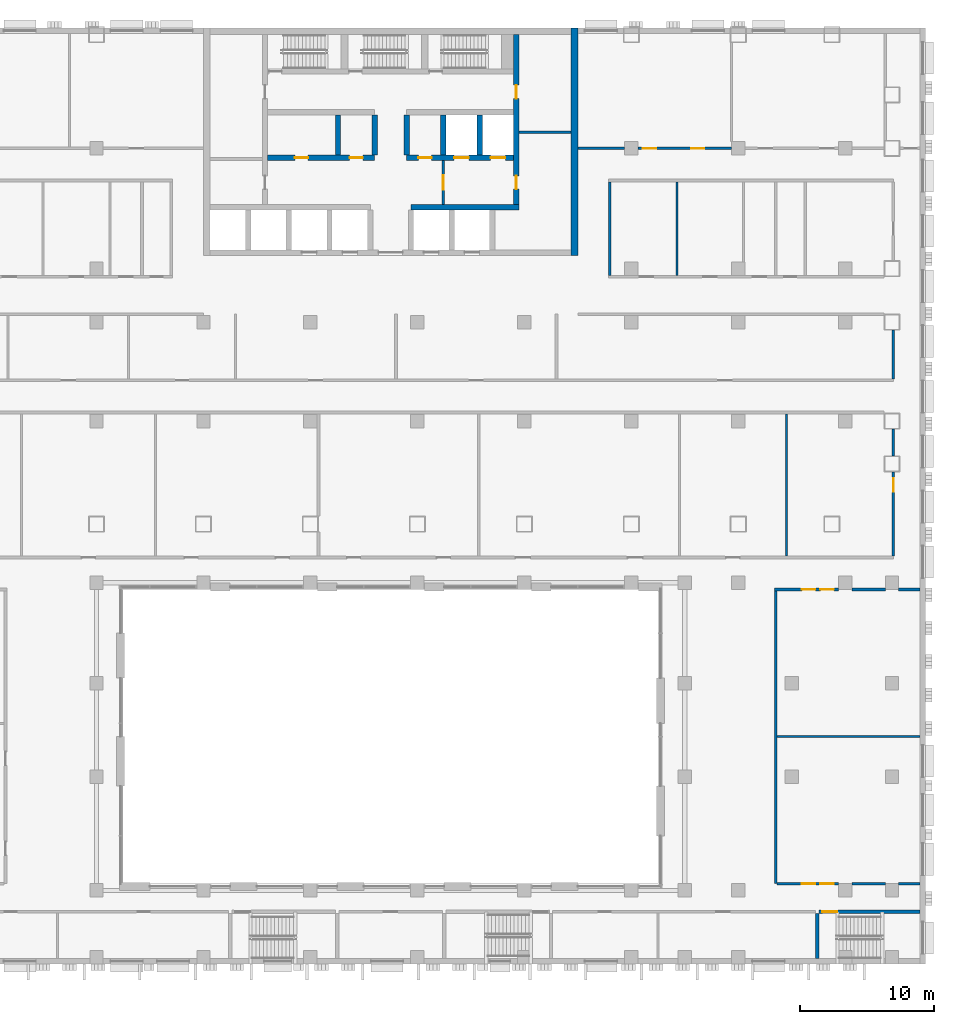
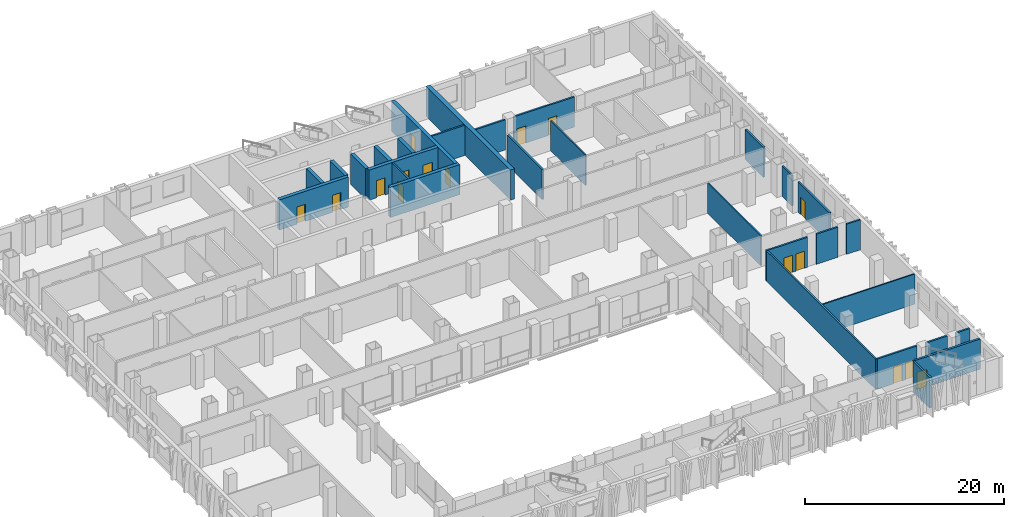
# One storey, part 14 of 26: 30 walls, 16 doors, 16 openings.
"""IFC4 building model written with IfcOpenShell, lengths in metres."""

import ifcopenshell
import ifcopenshell.guid

model = None  # the IFC model being written
_history = None  # IfcOwnerHistory: only IFC2X3 demands one
_inside = {}  # id of a spatial element -> (the spatial element, [elements in it])
_under = {}  # id of a project, library or spatial element -> (it, [spatial elements below it])
_declared = {}  # id of a project -> (the project, [libraries it declares])
_typed = {}  # id of a type object -> (the type object, [elements of that type])
_made_of = {}  # id of a material, layer set ... -> (it, [elements and type objects made of it])


def new_model(schema):
    """Start an empty IFC model of exactly this schema.

    Asked for "IFC4X3", IfcOpenShell would pick the latest addendum, in which some entities
    have other attributes; the version numbers below select the first issue.
    IFC2X3 requires an IfcOwnerHistory on every rooted entity: one is made here for all.
    """
    global model, _history
    if schema == "IFC4X3":
        model = ifcopenshell.file(schema_version=(4, 3, 0, 0))
    else:
        model = ifcopenshell.file(schema=schema)
    _inside.clear()
    _under.clear()
    _declared.clear()
    _typed.clear()
    _made_of.clear()
    _history = None
    if model.schema == "IFC2X3":
        org = make("IfcOrganization", Name="unknown")
        user = make(
            "IfcPersonAndOrganization",
            ThePerson=make("IfcPerson", FamilyName="unknown"),
            TheOrganization=org,
        )
        app = make(
            "IfcApplication",
            ApplicationDeveloper=org,
            Version="unknown",
            ApplicationFullName="unknown",
            ApplicationIdentifier="unknown",
        )
        _history = make(
            "IfcOwnerHistory",
            OwningUser=user,
            OwningApplication=app,
            ChangeAction="ADDED",
            CreationDate=0,
        )
    return model


def make(cls, **values):
    """One entity of the class cls with the attributes given. An attribute that is None is left unset."""
    return model.create_entity(
        cls, **{name: value for name, value in values.items() if value is not None}
    )


def rooted(cls, **values):
    """An entity with a GlobalId (a new one), such as an element, a storey or a relation."""
    return make(cls, GlobalId=ifcopenshell.guid.new(), OwnerHistory=_history, **values)


def si_unit(unit_type, name, prefix=None):
    """IfcSIUnit, for example si_unit("LENGTHUNIT", "METRE", prefix="MILLI")."""
    return make("IfcSIUnit", UnitType=unit_type, Prefix=prefix, Name=name)


def assignment(units):
    """IfcUnitAssignment: the units of a project."""
    return None if units is None else make("IfcUnitAssignment", Units=units)


def point(xyz):
    """IfcCartesianPoint."""
    return None if xyz is None else make("IfcCartesianPoint", Coordinates=xyz)


def direction(xyz):
    """IfcDirection."""
    return None if xyz is None else make("IfcDirection", DirectionRatios=xyz)


def frame(location, z_axis=None, x_axis=None):
    """IfcAxis2Placement3D, a coordinate frame: its origin and axes. An axis left out is left unset."""
    return make(
        "IfcAxis2Placement3D",
        Location=point(location),
        Axis=direction(z_axis),
        RefDirection=direction(x_axis),
    )


def frame_2d(location, x_axis=None):
    """IfcAxis2Placement2D, a coordinate frame in the plane: its origin and x axis."""
    return make(
        "IfcAxis2Placement2D", Location=point(location), RefDirection=direction(x_axis)
    )


def origin():
    """The frame at (0, 0, 0) with its axes left unset."""
    return frame((0.0, 0.0, 0.0))


def place(relative_to, where):
    """IfcLocalPlacement: puts the frame where relative to a parent placement (None: the world)."""
    return make(
        "IfcLocalPlacement", PlacementRelTo=relative_to, RelativePlacement=where
    )


def context(
    kind, dimensions, precision=None, world=None, true_north=None, identifier=None
):
    """IfcGeometricRepresentationContext, for example the 3D "Model" context."""
    return make(
        "IfcGeometricRepresentationContext",
        ContextIdentifier=identifier,
        ContextType=kind,
        CoordinateSpaceDimension=dimensions,
        Precision=precision,
        WorldCoordinateSystem=world,
        TrueNorth=true_north,
    )


def subcontext(parent, identifier, kind, view, scale=None):
    """IfcGeometricRepresentationSubContext, for example "Body" below "Model"."""
    return make(
        "IfcGeometricRepresentationSubContext",
        ContextIdentifier=identifier,
        ContextType=kind,
        ParentContext=parent,
        TargetScale=scale,
        TargetView=view,
    )


def project(units=None, contexts=None):
    """IfcProject with its units and contexts."""
    return rooted(
        "IfcProject",
        Name="project",
        RepresentationContexts=contexts,
        UnitsInContext=assignment(units),
    )


def spatial(cls, under=None, at=None, **own):
    """A site, building, storey or space (cls), placed at a placement, below another one or the project."""
    s = rooted(cls, ObjectPlacement=at, **own)
    if under is not None:
        _under.setdefault(under.id(), (under, []))[1].append(s)
    return s


def profile(cls, at=None, kind="AREA", **sizes):
    """A parametric profile (cls). Its sizes go by their IFC names, for example OverallWidth=200.0."""
    return make(cls, ProfileType=kind, Position=at, **sizes)


def rectangle(**sizes):
    """IfcRectangleProfileDef."""
    return profile("IfcRectangleProfileDef", **sizes)


def extrude(swept, where, along, depth):
    """IfcExtrudedAreaSolid: the profile swept, set in the frame where, extruded along a direction by depth."""
    return make(
        "IfcExtrudedAreaSolid",
        SweptArea=swept,
        Position=where,
        ExtrudedDirection=direction(along),
        Depth=depth,
    )


def shape(context_of_items, identifier, shape_type, items):
    """IfcShapeRepresentation: the items that make up one representation, for example the "Body"."""
    return make(
        "IfcShapeRepresentation",
        ContextOfItems=context_of_items,
        RepresentationIdentifier=identifier,
        RepresentationType=shape_type,
        Items=items,
    )


def material(Name=None, Category=None):
    """IfcMaterial."""
    return make("IfcMaterial", Name=Name, Category=Category)


def layer(
    of_material, thickness, ventilated=None, Name=None, Category=None, Priority=None
):
    """IfcMaterialLayer: one layer of a wall or slab, of a material (None: an air gap)."""
    return make(
        "IfcMaterialLayer",
        Material=of_material,
        LayerThickness=thickness,
        IsVentilated=ventilated,
        Name=Name,
        Category=Category,
        Priority=Priority,
    )


def layer_set(layers, Name=None):
    """IfcMaterialLayerSet."""
    return make("IfcMaterialLayerSet", MaterialLayers=layers, LayerSetName=Name)


def made_of(thing, what):
    """Note that an element or type object is made of a material, layer set ...; save() writes the relation."""
    if what is not None:
        _made_of.setdefault(what.id(), (what, []))[1].append(thing)
    return thing


def type_object(cls, material=None, **own):
    """A type object (cls), such as IfcWallType, which elements share."""
    return made_of(rooted(cls, **own), material)


def element(
    cls,
    number,
    at=None,
    inside=None,
    cuts=None,
    type_object=None,
    material=None,
    context=None,
    identifier="Body",
    shape_type=None,
    held_by="IfcProductDefinitionShape",
    body=None,
    shapes=None,
    **own,
):
    """One element of the class cls, such as IfcWall. Its Tag is "e" and its number.

    at: its placement. inside: the storey or other place that contains it. cuts: it is an
    opening in that element (IfcRelVoidsElement). A single representation is given by context,
    identifier, shape_type and body (its items); several are given by shapes. held_by: the class
    of the entity that holds the representations. save() writes the other relations.
    """
    e = rooted(cls, Tag="e%d" % number, ObjectPlacement=at, **own)
    if body is not None:
        shapes = [shape(context, identifier, shape_type, body)]
    if shapes is not None:
        e.Representation = make(held_by, Representations=shapes)
    if inside is not None:
        _inside.setdefault(inside.id(), (inside, []))[1].append(e)
    if cuts is not None:
        rooted(
            "IfcRelVoidsElement", RelatingBuildingElement=cuts, RelatedOpeningElement=e
        )
    if type_object is not None:
        _typed.setdefault(type_object.id(), (type_object, []))[1].append(e)
    return made_of(e, material)


def fill(opening, filler):
    """IfcRelFillsElement: the door or window that sits in an opening."""
    return rooted(
        "IfcRelFillsElement",
        RelatingOpeningElement=opening,
        RelatedBuildingElement=filler,
    )


def aggregate(whole, parts):
    """IfcRelAggregates: a whole, such as a stair, and the parts it consists of."""
    return rooted("IfcRelAggregates", RelatingObject=whole, RelatedObjects=parts)


def save(model, path):
    """Write the relations noted so far, then the file.

    IfcRelAggregates (storeys below a building ...), IfcRelContainedInSpatialStructure (elements
    in a storey), IfcRelDefinesByType, IfcRelAssociatesMaterial and IfcRelDeclares: one each for
    every whole, place, type object, material and project.
    """
    for whole, parts in _under.values():
        aggregate(whole, parts)
    for where, things in _inside.values():
        rooted(
            "IfcRelContainedInSpatialStructure",
            RelatedElements=things,
            RelatingStructure=where,
        )
    for kind, things in _typed.values():
        rooted("IfcRelDefinesByType", RelatedObjects=things, RelatingType=kind)
    for what, things in _made_of.values():
        rooted("IfcRelAssociatesMaterial", RelatedObjects=things, RelatingMaterial=what)
    for by, libraries in _declared.values():
        rooted("IfcRelDeclares", RelatingContext=by, RelatedDefinitions=libraries)
    model.write(path)


model = new_model("IFC4")

# Units and contexts
model_context = context("Model", 3, precision=1e-05, world=origin(), true_north=direction((0.0, 1.0)))
body_context = subcontext(model_context, "Body", "Model", "MODEL_VIEW")
ifc_project = project(units=[si_unit("LENGTHUNIT", "METRE"), si_unit("AREAUNIT", "SQUARE_METRE"), si_unit("VOLUMEUNIT", "CUBIC_METRE"), si_unit("PLANEANGLEUNIT", "RADIAN"), si_unit("MASSUNIT", "GRAM", prefix="KILO")], contexts=[model_context])

# Site, building, storey
site_placement = place(None, origin())
site = spatial("IfcSite", under=ifc_project, at=site_placement, CompositionType="ELEMENT")
building_placement = place(site_placement, origin())
building = spatial("IfcBuilding", under=site, at=building_placement, Name="Vidyagriha Tower", CompositionType="ELEMENT")
storey_placement = place(building_placement, frame((0.0, 0.0, 6.0)))
storey = spatial("IfcBuildingStorey", under=building, at=storey_placement, Name="L01", CompositionType="ELEMENT", Elevation=6.0)

# Wall, opening, door
ifc_material_1 = material(Name="Concrete C32/40", Category="concrete")
ifc_layer_1 = layer(ifc_material_1, 0.25)
ifc_layer_set_1 = layer_set([ifc_layer_1], Name="Concrete C32/40")
wall_type_1 = type_object("IfcWallType", Name="Concrete Stair Enclosure Wall 250", PredefinedType="SOLIDWALL", material=ifc_layer_set_1)
wall_1_placement = place(storey_placement, frame((32.02490234375, -46.10009765625, 0.0)))
wall_1 = element("IfcWall", 1, at=wall_1_placement, inside=storey, type_object=wall_type_1, Name="L01 Concrete Stair Enclosure Wall 250 006", PredefinedType="SOLIDWALL", context=body_context, shape_type="SweptSolid", body=[
    extrude(rectangle(XDim=7.5751953125, YDim=0.25, at=frame_2d((3.78759765625, 0.0))), origin(), (0.0, 0.0, 1.0), 3.699951171875),
])
opening_1_placement = place(wall_1_placement, frame((0.27001953125, 0.0, 0.0)))
opening_1 = element("IfcOpeningElement", 2, at=opening_1_placement, cuts=wall_1, Name="Opening D01-61", PredefinedType="OPENING", context=body_context, shape_type="SweptSolid", body=[
    extrude(rectangle(XDim=1.10009765625, YDim=2.10009765625, at=frame_2d((0.550048828125, 1.050048828125))), frame((0.0, 0.135009765625, 0.0), z_axis=(0.0, -1.0, 0.0), x_axis=(1.0, 0.0, 0.0)), (0.0, 0.0, 1.0), 0.27001953125),
])
ifc_material_2 = material(Name="Steel fire door set", Category="steel")
door_type_1 = type_object("IfcDoorType", Name="Podium Door 1100x2100 EI 90", OperationType="NOTDEFINED", PredefinedType="DOOR", material=ifc_material_2)
door_1_placement = place(opening_1_placement, origin())
door_1 = element("IfcDoor", 3, at=door_1_placement, inside=storey, type_object=door_type_1, Name="L01 door D01-61", OperationType="SINGLE_SWING_LEFT", OverallHeight=2.10009765625, OverallWidth=1.10009765625, PredefinedType="DOOR", context=body_context, shape_type="SweptSolid", body=[
    extrude(rectangle(XDim=1.10009765625, YDim=2.10009765625, at=frame_2d((0.550048828125, 1.050048828125))), frame((0.0, 0.02490234375, 0.0), z_axis=(0.0, -1.0, 0.0), x_axis=(1.0, 0.0, 0.0)), (0.0, 0.0, 1.0), 0.050048828125),
])
fill(opening_1, door_1)

# Wall
wall_2_placement = place(storey_placement, frame((31.89990234375, -49.60009765625, 0.0), z_axis=(0.0, 0.0, 1.0), x_axis=(0.0, 1.0, 0.0)))
element("IfcWall", 4, at=wall_2_placement, inside=storey, type_object=wall_type_1, Name="L01 Concrete Stair Enclosure Wall 250 076", PredefinedType="SOLIDWALL", context=body_context, shape_type="SweptSolid", body=[
    extrude(rectangle(XDim=3.375, YDim=0.25, at=frame_2d((1.6875, 0.0))), origin(), (0.0, 0.0, 1.0), 3.699951171875),
])

# Wall, openings, doors
ifc_material_3 = material(Name="Concrete C60/75", Category="concrete")
ifc_layer_2 = layer(ifc_material_3, 0.39990234375)
ifc_layer_set_2 = layer_set([ifc_layer_2], Name="Concrete C60/75")
wall_type_2 = type_object("IfcWallType", Name="Core shear wall 400 mm", PredefinedType="SHEAR", material=ifc_layer_set_2)
wall_3_placement = place(storey_placement, frame((9.39990234375, 6.800048828125, 0.0), z_axis=(0.0, 0.0, 1.0), x_axis=(0.0, 1.0, 0.0)))
wall_3 = element("IfcWall", 5, at=wall_3_placement, inside=storey, type_object=wall_type_2, Name="Core east spine wall", PredefinedType="SHEAR", context=body_context, shape_type="SweptSolid", body=[
    extrude(rectangle(XDim=12.699951171875, YDim=0.39990234375, at=frame_2d((6.35009765625, 0.0))), origin(), (0.0, 0.0, 1.0), 3.699951171875),
])
opening_2_placement = place(wall_3_placement, frame((1.14990234375, 0.0, 0.0)))
opening_2 = element("IfcOpeningElement", 6, at=opening_2_placement, cuts=wall_3, Name="Opening D01-11", PredefinedType="OPENING", context=body_context, shape_type="SweptSolid", body=[
    extrude(rectangle(XDim=1.0, YDim=2.10009765625, at=frame_2d((0.5, 1.050048828125))), frame((0.0, 0.2099609375, 0.0), z_axis=(0.0, -1.0, 0.0), x_axis=(1.0, 0.0, 0.0)), (0.0, 0.0, 1.0), 0.419921875),
])
opening_3_placement = place(wall_3_placement, frame((7.925048828125, 0.0, 0.0)))
opening_3 = element("IfcOpeningElement", 7, at=opening_3_placement, cuts=wall_3, Name="Opening D01-12", PredefinedType="OPENING", context=body_context, shape_type="SweptSolid", body=[
    extrude(rectangle(XDim=1.0, YDim=2.10009765625, at=frame_2d((0.5, 1.050048828125))), frame((0.0, 0.2099609375, 0.0), z_axis=(0.0, -1.0, 0.0), x_axis=(1.0, 0.0, 0.0)), (0.0, 0.0, 1.0), 0.419921875),
])
ifc_material_4 = material(Name="Hollow metal door leaf")
door_type_2 = type_object("IfcDoorType", Name="Core room door 1000 x 2100 mm EI 60", OperationType="NOTDEFINED", PredefinedType="DOOR", material=ifc_material_4)
door_2_placement = place(opening_2_placement, origin())
door_2 = element("IfcDoor", 8, at=door_2_placement, inside=storey, type_object=door_type_2, Name="Door Pressurisation Plant Room 01.E1", OperationType="SINGLE_SWING_RIGHT", OverallHeight=2.10009765625, OverallWidth=1.0, PredefinedType="DOOR", context=body_context, shape_type="SweptSolid", body=[
    extrude(rectangle(XDim=1.0, YDim=2.10009765625, at=frame_2d((0.5, 1.050048828125))), frame((0.0, 0.02490234375, 0.0), z_axis=(0.0, -1.0, 0.0), x_axis=(1.0, 0.0, 0.0)), (0.0, 0.0, 1.0), 0.050048828125),
])
fill(opening_2, door_2)
door_3_placement = place(opening_3_placement, origin())
door_3 = element("IfcDoor", 9, at=door_3_placement, inside=storey, type_object=door_type_2, Name="Door Storage Room 01.E2", OperationType="SINGLE_SWING_LEFT", OverallHeight=2.10009765625, OverallWidth=1.0, PredefinedType="DOOR", context=body_context, shape_type="SweptSolid", body=[
    extrude(rectangle(XDim=1.0, YDim=2.10009765625, at=frame_2d((0.5, 1.050048828125))), frame((0.0, 0.02490234375, 0.0), z_axis=(0.0, -1.0, 0.0), x_axis=(1.0, 0.0, 0.0)), (0.0, 0.0, 1.0), 0.050048828125),
])
fill(opening_3, door_3)

# Wall
wall_4_placement = place(storey_placement, frame((1.522216796875, 6.60009765625, 0.0)))
element("IfcWall", 10, at=wall_4_placement, inside=storey, type_object=wall_type_2, Name="Core lobby south wall east", PredefinedType="SHEAR", context=body_context, shape_type="SweptSolid", body=[
    extrude(rectangle(XDim=8.077880859375, YDim=0.39990234375, at=frame_2d((4.0390625, 0.0))), origin(), (0.0, 0.0, 1.0), 3.699951171875),
])

# Wall, openings, doors
wall_5_placement = place(storey_placement, frame((-9.199951171875, 10.300048828125, 0.0)))
wall_5 = element("IfcWall", 11, at=wall_5_placement, inside=storey, type_object=wall_type_2, Name="Core row N front wall", PredefinedType="SHEAR", context=body_context, shape_type="SweptSolid", body=[
    extrude(rectangle(XDim=8.0, YDim=0.39990234375, at=frame_2d((4.0, 0.0))), origin(), (0.0, 0.0, 1.0), 3.699951171875),
])
opening_4_placement = place(wall_5_placement, frame((2.033203125, 0.0, 0.0)))
opening_4 = element("IfcOpeningElement", 12, at=opening_4_placement, cuts=wall_5, Name="Opening D01-02", PredefinedType="OPENING", context=body_context, shape_type="SweptSolid", body=[
    extrude(rectangle(XDim=1.0, YDim=2.10009765625, at=frame_2d((0.5, 1.050048828125))), frame((0.0, 0.2099609375, 0.0), z_axis=(0.0, -1.0, 0.0), x_axis=(1.0, 0.0, 0.0)), (0.0, 0.0, 1.0), 0.419921875),
])
opening_5_placement = place(wall_5_placement, frame((6.13330078125, 0.0, 0.0)))
opening_5 = element("IfcOpeningElement", 13, at=opening_5_placement, cuts=wall_5, Name="Opening D01-03", PredefinedType="OPENING", context=body_context, shape_type="SweptSolid", body=[
    extrude(rectangle(XDim=1.0, YDim=2.10009765625, at=frame_2d((0.5, 1.050048828125))), frame((0.0, 0.2099609375, 0.0), z_axis=(0.0, -1.0, 0.0), x_axis=(1.0, 0.0, 0.0)), (0.0, 0.0, 1.0), 0.419921875),
])
door_4_placement = place(opening_4_placement, frame((1.0, 0.0, 0.0), z_axis=(0.0, 0.0, 1.0), x_axis=(-1.0, 0.0, 0.0)))
door_4 = element("IfcDoor", 14, at=door_4_placement, inside=storey, type_object=door_type_2, Name="Door Electrical Room 01.14", OperationType="SINGLE_SWING_RIGHT", OverallHeight=2.10009765625, OverallWidth=1.0, PredefinedType="DOOR", context=body_context, shape_type="SweptSolid", body=[
    extrude(rectangle(XDim=1.0, YDim=2.10009765625, at=frame_2d((0.5, 1.050048828125))), frame((0.0, 0.02490234375, 0.0), z_axis=(0.0, -1.0, 0.0), x_axis=(1.0, 0.0, 0.0)), (0.0, 0.0, 1.0), 0.050048828125),
])
fill(opening_4, door_4)
door_5_placement = place(opening_5_placement, frame((1.0, 0.0, 0.0), z_axis=(0.0, 0.0, 1.0), x_axis=(-1.0, 0.0, 0.0)))
door_5 = element("IfcDoor", 15, at=door_5_placement, inside=storey, type_object=door_type_2, Name="Door Cleaners Store 01.15", OperationType="SINGLE_SWING_LEFT", OverallHeight=2.10009765625, OverallWidth=1.0, PredefinedType="DOOR", context=body_context, shape_type="SweptSolid", body=[
    extrude(rectangle(XDim=1.0, YDim=2.10009765625, at=frame_2d((0.5, 1.050048828125))), frame((0.0, 0.02490234375, 0.0), z_axis=(0.0, -1.0, 0.0), x_axis=(1.0, 0.0, 0.0)), (0.0, 0.0, 1.0), 0.050048828125),
])
fill(opening_5, door_5)

wall_6_placement = place(storey_placement, frame((1.199951171875, 10.300048828125, 0.0)))
wall_6 = element("IfcWall", 16, at=wall_6_placement, inside=storey, type_object=wall_type_2, Name="Core row N front wall", PredefinedType="SHEAR", context=body_context, shape_type="SweptSolid", body=[
    extrude(rectangle(XDim=8.0, YDim=0.39990234375, at=frame_2d((4.0, 0.0))), origin(), (0.0, 0.0, 1.0), 3.699951171875),
])
opening_6_placement = place(wall_6_placement, frame((3.550048828125, 0.0, 0.0)))
opening_6 = element("IfcOpeningElement", 17, at=opening_6_placement, cuts=wall_6, Name="Opening LD01-05", PredefinedType="OPENING", context=body_context, shape_type="SweptSolid", body=[
    extrude(rectangle(XDim=1.10009765625, YDim=2.10009765625, at=frame_2d((0.550048828125, 1.050048828125))), frame((0.0, 0.2099609375, 0.0), z_axis=(0.0, -1.0, 0.0), x_axis=(1.0, 0.0, 0.0)), (0.0, 0.0, 1.0), 0.419921875),
])
opening_7_placement = place(wall_6_placement, frame((6.283203125, 0.0, 0.0)))
opening_7 = element("IfcOpeningElement", 18, at=opening_7_placement, cuts=wall_6, Name="Opening LD01-06", PredefinedType="OPENING", context=body_context, shape_type="SweptSolid", body=[
    extrude(rectangle(XDim=1.10009765625, YDim=2.10009765625, at=frame_2d((0.550048828125, 1.050048828125))), frame((0.0, 0.2099609375, 0.0), z_axis=(0.0, -1.0, 0.0), x_axis=(1.0, 0.0, 0.0)), (0.0, 0.0, 1.0), 0.419921875),
])
opening_8_placement = place(wall_6_placement, frame((0.86669921875, 0.0, 0.0)))
opening_8 = element("IfcOpeningElement", 19, at=opening_8_placement, cuts=wall_6, Name="Opening D01-04", PredefinedType="OPENING", context=body_context, shape_type="SweptSolid", body=[
    extrude(rectangle(XDim=1.0, YDim=2.10009765625, at=frame_2d((0.5, 1.050048828125))), frame((0.0, 0.2099609375, 0.0), z_axis=(0.0, -1.0, 0.0), x_axis=(1.0, 0.0, 0.0)), (0.0, 0.0, 1.0), 0.419921875),
])
door_6_placement = place(opening_8_placement, frame((1.0, 0.0, 0.0), z_axis=(0.0, 0.0, 1.0), x_axis=(-1.0, 0.0, 0.0)))
door_6 = element("IfcDoor", 20, at=door_6_placement, inside=storey, type_object=door_type_2, Name="Door Pressurisation Plant Room 01.16", OperationType="SINGLE_SWING_LEFT", OverallHeight=2.10009765625, OverallWidth=1.0, PredefinedType="DOOR", context=body_context, shape_type="SweptSolid", body=[
    extrude(rectangle(XDim=1.0, YDim=2.10009765625, at=frame_2d((0.5, 1.050048828125))), frame((0.0, 0.02490234375, 0.0), z_axis=(0.0, -1.0, 0.0), x_axis=(1.0, 0.0, 0.0)), (0.0, 0.0, 1.0), 0.050048828125),
])
fill(opening_8, door_6)
ifc_material_5 = material(Name="Stainless steel sliding door panel", Category="steel")
door_type_3 = type_object("IfcDoorType", Name="Lift landing door 1100 x 2100 mm EI 90", OperationType="NOTDEFINED", PredefinedType="DOOR", material=ifc_material_5)
door_7_placement = place(opening_6_placement, origin())
door_7 = element("IfcDoor", 21, at=door_7_placement, inside=storey, type_object=door_type_3, Name="Landing door FF1 L01", OperationType="SLIDING_TO_LEFT", OverallHeight=2.10009765625, OverallWidth=1.10009765625, PredefinedType="DOOR", context=body_context, shape_type="SweptSolid", body=[
    extrude(rectangle(XDim=1.10009765625, YDim=2.10009765625, at=frame_2d((0.550048828125, 1.050048828125))), frame((0.0, 0.02490234375, 0.0), z_axis=(0.0, -1.0, 0.0), x_axis=(1.0, 0.0, 0.0)), (0.0, 0.0, 1.0), 0.050048828125),
])
fill(opening_6, door_7)
door_8_placement = place(opening_7_placement, origin())
door_8 = element("IfcDoor", 22, at=door_8_placement, inside=storey, type_object=door_type_3, Name="Landing door FF2 L01", OperationType="SLIDING_TO_LEFT", OverallHeight=2.10009765625, OverallWidth=1.10009765625, PredefinedType="DOOR", context=body_context, shape_type="SweptSolid", body=[
    extrude(rectangle(XDim=1.10009765625, YDim=2.10009765625, at=frame_2d((0.550048828125, 1.050048828125))), frame((0.0, 0.02490234375, 0.0), z_axis=(0.0, -1.0, 0.0), x_axis=(1.0, 0.0, 0.0)), (0.0, 0.0, 1.0), 0.050048828125),
])
fill(opening_7, door_8)

# Walls
for number, where, z_axis, x_axis, name in (
    (23, (-3.933349609375, 10.5, 0.0), (0.0, 0.0, 1.0), (0.0, 1.0, 0.0), "Core bay wall N2"),
    (24, (-1.199951171875, 10.5, 0.0), (0.0, 0.0, 1.0), (0.0, 1.0, 0.0), "Core bay wall N3"),
    (25, (1.199951171875, 10.5, 0.0), (0.0, 0.0, 1.0), (0.0, 1.0, 0.0), "Core bay wall N4"),
    (26, (3.933349609375, 10.5, 0.0), (0.0, 0.0, 1.0), (0.0, 1.0, 0.0), "Core bay wall N5"),
    (27, (6.666748046875, 10.5, 0.0), (0.0, 0.0, 1.0), (0.0, 1.0, 0.0), "Core bay wall N6"),
):
    element("IfcWall", number, at=place(storey_placement, frame(where, z_axis=z_axis, x_axis=x_axis)), inside=storey, type_object=wall_type_2, Name=name, PredefinedType="SHEAR", context=body_context, shape_type="SweptSolid", body=[
        extrude(rectangle(XDim=3.0, YDim=0.39990234375, at=frame_2d((1.5, 0.0))), origin(), (0.0, 0.0, 1.0), 3.699951171875),
    ])
ifc_material_6 = material(Name="Concrete C60/75", Category="concrete")
ifc_layer_3 = layer(ifc_material_6, 0.5)
ifc_layer_set_3 = layer_set([ifc_layer_3], Name="Concrete C60/75")
wall_type_3 = type_object("IfcWallType", Name="Core shear wall 500 mm", PredefinedType="SHEAR", material=ifc_layer_set_3)
wall_7_placement = place(storey_placement, frame((13.75, 3.0, 0.0), z_axis=(0.0, 0.0, 1.0), x_axis=(0.0, 1.0, 0.0)))
element("IfcWall", 28, at=wall_7_placement, inside=storey, type_object=wall_type_3, Name="Core east wall", PredefinedType="SHEAR", context=body_context, shape_type="SweptSolid", body=[
    extrude(rectangle(XDim=17.0, YDim=0.5, at=frame_2d((8.5, 0.0))), origin(), (0.0, 0.0, 1.0), 3.699951171875),
])

# Wall, openings, doors
ifc_material_7 = material(Name="Fire rated gypsum board on light gauge framing")
ifc_layer_4 = layer(ifc_material_7, 0.199951171875)
ifc_layer_set_4 = layer_set([ifc_layer_4], Name="Fire rated gypsum board on light gauge framing")
wall_type_4 = type_object("IfcWallType", Name="Fire Rated Corridor Wall 200", PredefinedType="PARTITIONING", material=ifc_layer_set_4)
wall_8_placement = place(storey_placement, frame((28.900146484375, -44.0, 0.0)))
wall_8 = element("IfcWall", 29, at=wall_8_placement, inside=storey, type_object=wall_type_4, Name="L01 Fire Rated Corridor Wall 200 010", PredefinedType="PARTITIONING", context=body_context, shape_type="SweptSolid", body=[
    extrude(rectangle(XDim=4.599853515625, YDim=0.199951171875, at=frame_2d((2.2998046875, 0.0))), origin(), (0.0, 0.0, 1.0), 3.699951171875),
])
opening_9_placement = place(wall_8_placement, frame((1.864013671875, 0.0, 0.0)))
opening_9 = element("IfcOpeningElement", 30, at=opening_9_placement, cuts=wall_8, Name="Opening D01-17", PredefinedType="OPENING", context=body_context, shape_type="SweptSolid", body=[
    extrude(rectangle(XDim=1.0, YDim=2.10009765625, at=frame_2d((0.5, 1.050048828125))), frame((0.0, 0.10986328125, 0.0), z_axis=(0.0, -1.0, 0.0), x_axis=(1.0, 0.0, 0.0)), (0.0, 0.0, 1.0), 0.219970703125),
])
opening_10_placement = place(wall_8_placement, frame((3.25, 0.0, 0.0)))
opening_10 = element("IfcOpeningElement", 31, at=opening_10_placement, cuts=wall_8, Name="Opening D01-18", PredefinedType="OPENING", context=body_context, shape_type="SweptSolid", body=[
    extrude(rectangle(XDim=1.0, YDim=2.10009765625, at=frame_2d((0.5, 1.050048828125))), frame((0.0, 0.10986328125, 0.0), z_axis=(0.0, -1.0, 0.0), x_axis=(1.0, 0.0, 0.0)), (0.0, 0.0, 1.0), 0.219970703125),
])
ifc_material_8 = material(Name="Steel fire door set", Category="steel")
door_type_4 = type_object("IfcDoorType", Name="Podium Door 1000x2100 EI 30", OperationType="NOTDEFINED", PredefinedType="DOOR", material=ifc_material_8)
door_9_placement = place(opening_9_placement, origin())
door_9 = element("IfcDoor", 32, at=door_9_placement, inside=storey, type_object=door_type_4, Name="L01 door D01-17", OperationType="SINGLE_SWING_RIGHT", OverallHeight=2.10009765625, OverallWidth=1.0, PredefinedType="DOOR", context=body_context, shape_type="SweptSolid", body=[
    extrude(rectangle(XDim=1.0, YDim=2.10009765625, at=frame_2d((0.5, 1.050048828125))), frame((0.0, 0.02490234375, 0.0), z_axis=(0.0, -1.0, 0.0), x_axis=(1.0, 0.0, 0.0)), (0.0, 0.0, 1.0), 0.050048828125),
])
fill(opening_9, door_9)
door_10_placement = place(opening_10_placement, origin())
door_10 = element("IfcDoor", 33, at=door_10_placement, inside=storey, type_object=door_type_4, Name="L01 door D01-18", OperationType="SINGLE_SWING_RIGHT", OverallHeight=2.10009765625, OverallWidth=1.0, PredefinedType="DOOR", context=body_context, shape_type="SweptSolid", body=[
    extrude(rectangle(XDim=1.0, YDim=2.10009765625, at=frame_2d((0.5, 1.050048828125))), frame((0.0, 0.02490234375, 0.0), z_axis=(0.0, -1.0, 0.0), x_axis=(1.0, 0.0, 0.0)), (0.0, 0.0, 1.0), 0.050048828125),
])
fill(opening_10, door_10)

# Walls
wall_9_placement = place(storey_placement, frame((34.5, -44.0, 0.0)))
element("IfcWall", 34, at=wall_9_placement, inside=storey, type_object=wall_type_4, Name="L01 Fire Rated Corridor Wall 200 011", PredefinedType="PARTITIONING", context=body_context, shape_type="SweptSolid", body=[
    extrude(rectangle(XDim=2.5, YDim=0.199951171875, at=frame_2d((1.25, 0.0))), origin(), (0.0, 0.0, 1.0), 3.699951171875),
])
wall_10_placement = place(storey_placement, frame((38.0, -44.0, 0.0)))
element("IfcWall", 35, at=wall_10_placement, inside=storey, type_object=wall_type_4, Name="L01 Fire Rated Corridor Wall 200 012", PredefinedType="PARTITIONING", context=body_context, shape_type="SweptSolid", body=[
    extrude(rectangle(XDim=1.60009765625, YDim=0.199951171875, at=frame_2d((0.800048828125, 0.0))), origin(), (0.0, 0.0, 1.0), 3.699951171875),
])

# Wall, openings, doors
wall_11_placement = place(storey_placement, frame((28.7001953125, -22.0, 0.0)))
wall_11 = element("IfcWall", 36, at=wall_11_placement, inside=storey, type_object=wall_type_4, Name="L01 Fire Rated Corridor Wall 200 018", PredefinedType="PARTITIONING", context=body_context, shape_type="SweptSolid", body=[
    extrude(rectangle(XDim=4.7998046875, YDim=0.199951171875, at=frame_2d((2.39990234375, 0.0))), origin(), (0.0, 0.0, 1.0), 3.699951171875),
])
opening_11_placement = place(wall_11_placement, frame((2.06396484375, 0.0, 0.0)))
opening_11 = element("IfcOpeningElement", 37, at=opening_11_placement, cuts=wall_11, Name="Opening D01-19", PredefinedType="OPENING", context=body_context, shape_type="SweptSolid", body=[
    extrude(rectangle(XDim=1.0, YDim=2.10009765625, at=frame_2d((0.5, 1.050048828125))), frame((0.0, 0.10986328125, 0.0), z_axis=(0.0, -1.0, 0.0), x_axis=(1.0, 0.0, 0.0)), (0.0, 0.0, 1.0), 0.219970703125),
])
opening_12_placement = place(wall_11_placement, frame((3.449951171875, 0.0, 0.0)))
opening_12 = element("IfcOpeningElement", 38, at=opening_12_placement, cuts=wall_11, Name="Opening D01-20", PredefinedType="OPENING", context=body_context, shape_type="SweptSolid", body=[
    extrude(rectangle(XDim=1.0, YDim=2.10009765625, at=frame_2d((0.5, 1.050048828125))), frame((0.0, 0.10986328125, 0.0), z_axis=(0.0, -1.0, 0.0), x_axis=(1.0, 0.0, 0.0)), (0.0, 0.0, 1.0), 0.219970703125),
])
door_11_placement = place(opening_11_placement, frame((1.0, 0.0, 0.0), z_axis=(0.0, 0.0, 1.0), x_axis=(-1.0, 0.0, 0.0)))
door_11 = element("IfcDoor", 39, at=door_11_placement, inside=storey, type_object=door_type_4, Name="L01 door D01-19", OperationType="SINGLE_SWING_RIGHT", OverallHeight=2.10009765625, OverallWidth=1.0, PredefinedType="DOOR", context=body_context, shape_type="SweptSolid", body=[
    extrude(rectangle(XDim=1.0, YDim=2.10009765625, at=frame_2d((0.5, 1.050048828125))), frame((0.0, 0.02490234375, 0.0), z_axis=(0.0, -1.0, 0.0), x_axis=(1.0, 0.0, 0.0)), (0.0, 0.0, 1.0), 0.050048828125),
])
fill(opening_11, door_11)
door_12_placement = place(opening_12_placement, frame((1.0, 0.0, 0.0), z_axis=(0.0, 0.0, 1.0), x_axis=(-1.0, 0.0, 0.0)))
door_12 = element("IfcDoor", 40, at=door_12_placement, inside=storey, type_object=door_type_4, Name="L01 door D01-20", OperationType="SINGLE_SWING_RIGHT", OverallHeight=2.10009765625, OverallWidth=1.0, PredefinedType="DOOR", context=body_context, shape_type="SweptSolid", body=[
    extrude(rectangle(XDim=1.0, YDim=2.10009765625, at=frame_2d((0.5, 1.050048828125))), frame((0.0, 0.02490234375, 0.0), z_axis=(0.0, -1.0, 0.0), x_axis=(1.0, 0.0, 0.0)), (0.0, 0.0, 1.0), 0.050048828125),
])
fill(opening_12, door_12)

# Walls
wall_12_placement = place(storey_placement, frame((34.5, -22.0, 0.0)))
element("IfcWall", 41, at=wall_12_placement, inside=storey, type_object=wall_type_4, Name="L01 Fire Rated Corridor Wall 200 019", PredefinedType="PARTITIONING", context=body_context, shape_type="SweptSolid", body=[
    extrude(rectangle(XDim=2.5, YDim=0.199951171875, at=frame_2d((1.25, 0.0))), origin(), (0.0, 0.0, 1.0), 3.699951171875),
])
wall_13_placement = place(storey_placement, frame((38.0, -22.0, 0.0)))
element("IfcWall", 42, at=wall_13_placement, inside=storey, type_object=wall_type_4, Name="L01 Fire Rated Corridor Wall 200 020", PredefinedType="PARTITIONING", context=body_context, shape_type="SweptSolid", body=[
    extrude(rectangle(XDim=1.60009765625, YDim=0.199951171875, at=frame_2d((0.800048828125, 0.0))), origin(), (0.0, 0.0, 1.0), 3.699951171875),
])
wall_14_placement = place(storey_placement, frame((14.0, 11.0, 0.0)))
element("IfcWall", 43, at=wall_14_placement, inside=storey, type_object=wall_type_4, Name="L01 Fire Rated Corridor Wall 200 034", PredefinedType="PARTITIONING", context=body_context, shape_type="SweptSolid", body=[
    extrude(rectangle(XDim=3.5, YDim=0.199951171875, at=frame_2d((1.75, 0.0))), origin(), (0.0, 0.0, 1.0), 3.699951171875),
])

# Wall, openings, doors
wall_15_placement = place(storey_placement, frame((18.5, 11.0, 0.0)))
wall_15 = element("IfcWall", 44, at=wall_15_placement, inside=storey, type_object=wall_type_4, Name="L01 Fire Rated Corridor Wall 200 035", PredefinedType="PARTITIONING", context=body_context, shape_type="SweptSolid", body=[
    extrude(rectangle(XDim=7.0, YDim=0.199951171875, at=frame_2d((3.5, 0.0))), origin(), (0.0, 0.0, 1.0), 3.699951171875),
])
opening_13_placement = place(wall_15_placement, frame((0.35009765625, 0.0, 0.0)))
opening_13 = element("IfcOpeningElement", 45, at=opening_13_placement, cuts=wall_15, Name="Opening D01-55", PredefinedType="OPENING", context=body_context, shape_type="SweptSolid", body=[
    extrude(rectangle(XDim=1.0, YDim=2.10009765625, at=frame_2d((0.5, 1.050048828125))), frame((0.0, 0.10986328125, 0.0), z_axis=(0.0, -1.0, 0.0), x_axis=(1.0, 0.0, 0.0)), (0.0, 0.0, 1.0), 0.219970703125),
])
opening_14_placement = place(wall_15_placement, frame((3.969970703125, 0.0, 0.0)))
opening_14 = element("IfcOpeningElement", 46, at=opening_14_placement, cuts=wall_15, Name="Opening D01-56", PredefinedType="OPENING", context=body_context, shape_type="SweptSolid", body=[
    extrude(rectangle(XDim=1.0, YDim=2.10009765625, at=frame_2d((0.5, 1.050048828125))), frame((0.0, 0.10986328125, 0.0), z_axis=(0.0, -1.0, 0.0), x_axis=(1.0, 0.0, 0.0)), (0.0, 0.0, 1.0), 0.219970703125),
])
door_13_placement = place(opening_13_placement, origin())
door_13 = element("IfcDoor", 47, at=door_13_placement, inside=storey, type_object=door_type_4, Name="L01 door D01-55", OperationType="SINGLE_SWING_LEFT", OverallHeight=2.10009765625, OverallWidth=1.0, PredefinedType="DOOR", context=body_context, shape_type="SweptSolid", body=[
    extrude(rectangle(XDim=1.0, YDim=2.10009765625, at=frame_2d((0.5, 1.050048828125))), frame((0.0, 0.02490234375, 0.0), z_axis=(0.0, -1.0, 0.0), x_axis=(1.0, 0.0, 0.0)), (0.0, 0.0, 1.0), 0.050048828125),
])
fill(opening_13, door_13)
door_14_placement = place(opening_14_placement, origin())
door_14 = element("IfcDoor", 48, at=door_14_placement, inside=storey, type_object=door_type_4, Name="L01 door D01-56", OperationType="SINGLE_SWING_RIGHT", OverallHeight=2.10009765625, OverallWidth=1.0, PredefinedType="DOOR", context=body_context, shape_type="SweptSolid", body=[
    extrude(rectangle(XDim=1.0, YDim=2.10009765625, at=frame_2d((0.5, 1.050048828125))), frame((0.0, 0.02490234375, 0.0), z_axis=(0.0, -1.0, 0.0), x_axis=(1.0, 0.0, 0.0)), (0.0, 0.0, 1.0), 0.050048828125),
])
fill(opening_14, door_14)

# Walls
wall_16_placement = place(storey_placement, frame((16.39990234375, 1.5, 0.0), z_axis=(0.0, 0.0, 1.0), x_axis=(0.0, 1.0, 0.0)))
element("IfcWall", 49, at=wall_16_placement, inside=storey, type_object=wall_type_4, Name="L01 Fire Rated Corridor Wall 200 066", PredefinedType="PARTITIONING", context=body_context, shape_type="SweptSolid", body=[
    extrude(rectangle(XDim=7.0, YDim=0.199951171875, at=frame_2d((3.5, 0.0))), origin(), (0.0, 0.0, 1.0), 3.699951171875),
])
wall_17_placement = place(storey_placement, frame((28.800048828125, -44.0, 0.0), z_axis=(0.0, 0.0, 1.0), x_axis=(0.0, 1.0, 0.0)))
element("IfcWall", 50, at=wall_17_placement, inside=storey, type_object=wall_type_4, Name="L01 Fire Rated Corridor Wall 200 072", PredefinedType="PARTITIONING", context=body_context, shape_type="SweptSolid", body=[
    extrude(rectangle(XDim=21.89990234375, YDim=0.199951171875, at=frame_2d((10.949951171875, 0.0))), origin(), (0.0, 0.0, 1.0), 3.699951171875),
])

# Wall, opening, door
wall_18_placement = place(storey_placement, frame((37.60009765625, -19.5, 0.0), z_axis=(0.0, 0.0, 1.0), x_axis=(0.0, 1.0, 0.0)))
wall_18 = element("IfcWall", 51, at=wall_18_placement, inside=storey, type_object=wall_type_4, Name="L01 Fire Rated Corridor Wall 200 079", PredefinedType="PARTITIONING", context=body_context, shape_type="SweptSolid", body=[
    extrude(rectangle(XDim=6.300048828125, YDim=0.199951171875, at=frame_2d((3.14990234375, 0.0))), origin(), (0.0, 0.0, 1.0), 3.699951171875),
])
opening_15_placement = place(wall_18_placement, frame((4.824951171875, 0.0, 0.0)))
opening_15 = element("IfcOpeningElement", 52, at=opening_15_placement, cuts=wall_18, Name="Opening D01-35", PredefinedType="OPENING", context=body_context, shape_type="SweptSolid", body=[
    extrude(rectangle(XDim=1.0, YDim=2.10009765625, at=frame_2d((0.5, 1.050048828125))), frame((0.0, 0.10986328125, 0.0), z_axis=(0.0, -1.0, 0.0), x_axis=(1.0, 0.0, 0.0)), (0.0, 0.0, 1.0), 0.219970703125),
])
door_15_placement = place(opening_15_placement, origin())
door_15 = element("IfcDoor", 53, at=door_15_placement, inside=storey, type_object=door_type_4, Name="L01 door D01-35", OperationType="SINGLE_SWING_RIGHT", OverallHeight=2.10009765625, OverallWidth=1.0, PredefinedType="DOOR", context=body_context, shape_type="SweptSolid", body=[
    extrude(rectangle(XDim=1.0, YDim=2.10009765625, at=frame_2d((0.5, 1.050048828125))), frame((0.0, 0.02490234375, 0.0), z_axis=(0.0, -1.0, 0.0), x_axis=(1.0, 0.0, 0.0)), (0.0, 0.0, 1.0), 0.050048828125),
])
fill(opening_15, door_15)

# Walls
wall_19_placement = place(storey_placement, frame((37.60009765625, -12.0, 0.0), z_axis=(0.0, 0.0, 1.0), x_axis=(0.0, 1.0, 0.0)))
element("IfcWall", 54, at=wall_19_placement, inside=storey, type_object=wall_type_4, Name="L01 Fire Rated Corridor Wall 200 080", PredefinedType="PARTITIONING", context=body_context, shape_type="SweptSolid", body=[
    extrude(rectangle(XDim=2.0, YDim=0.199951171875, at=frame_2d((1.0, 0.0))), origin(), (0.0, 0.0, 1.0), 3.699951171875),
])
wall_20_placement = place(storey_placement, frame((37.60009765625, -6.25, 0.0), z_axis=(0.0, 0.0, 1.0), x_axis=(0.0, 1.0, 0.0)))
element("IfcWall", 55, at=wall_20_placement, inside=storey, type_object=wall_type_4, Name="L01 Fire Rated Corridor Wall 200 081", PredefinedType="PARTITIONING", context=body_context, shape_type="SweptSolid", body=[
    extrude(rectangle(XDim=3.64990234375, YDim=0.199951171875, at=frame_2d((1.824951171875, 0.0))), origin(), (0.0, 0.0, 1.0), 3.699951171875),
])
ifc_material_9 = material(Name="Gypsum board on light gauge framing")
ifc_layer_5 = layer(ifc_material_9, 0.14990234375)
ifc_layer_set_5 = layer_set([ifc_layer_5], Name="Gypsum board on light gauge framing")
wall_type_5 = type_object("IfcWallType", Name="Gypsum Board Partition 150", PredefinedType="PARTITIONING", material=ifc_layer_set_5)
wall_21_placement = place(storey_placement, frame((28.89990234375, -33.0, 0.0)))
element("IfcWall", 56, at=wall_21_placement, inside=storey, type_object=wall_type_5, Name="L01 Gypsum Board Partition 150 013", PredefinedType="PARTITIONING", context=body_context, shape_type="SweptSolid", body=[
    extrude(rectangle(XDim=10.7001953125, YDim=0.14990234375, at=frame_2d((5.35009765625, 0.0))), origin(), (0.0, 0.0, 1.0), 3.699951171875),
])
wall_22_placement = place(storey_placement, frame((21.39990234375, 1.5, 0.0), z_axis=(0.0, 0.0, 1.0), x_axis=(0.0, 1.0, 0.0)))
element("IfcWall", 57, at=wall_22_placement, inside=storey, type_object=wall_type_5, Name="L01 Gypsum Board Partition 150 068", PredefinedType="PARTITIONING", context=body_context, shape_type="SweptSolid", body=[
    extrude(rectangle(XDim=7.0, YDim=0.14990234375, at=frame_2d((3.5, 0.0))), origin(), (0.0, 0.0, 1.0), 3.699951171875),
])
wall_23_placement = place(storey_placement, frame((29.60009765625, -19.5, 0.0), z_axis=(0.0, 0.0, 1.0), x_axis=(0.0, 1.0, 0.0)))
element("IfcWall", 58, at=wall_23_placement, inside=storey, type_object=wall_type_5, Name="L01 Gypsum Board Partition 150 074", PredefinedType="PARTITIONING", context=body_context, shape_type="SweptSolid", body=[
    extrude(rectangle(XDim=10.64990234375, YDim=0.14990234375, at=frame_2d((5.324951171875, 0.0))), origin(), (0.0, 0.0, 1.0), 3.699951171875),
])

# Wall, opening, door
ifc_material_10 = material(Name="Blockwork 15 MPa", Category="masonry")
ifc_layer_6 = layer(ifc_material_10, 0.199951171875)
ifc_layer_set_6 = layer_set([ifc_layer_6], Name="Blockwork 15 MPa")
wall_type_6 = type_object("IfcWallType", Name="Service room partition 200 mm", PredefinedType="PARTITIONING", material=ifc_layer_set_6)
wall_24_placement = place(storey_placement, frame((3.933349609375, 6.800048828125, 0.0), z_axis=(0.0, 0.0, 1.0), x_axis=(0.0, 1.0, 0.0)))
wall_24 = element("IfcWall", 59, at=wall_24_placement, inside=storey, type_object=wall_type_6, Name="Fire-fighting lobby west wall", PredefinedType="PARTITIONING", context=body_context, shape_type="SweptSolid", body=[
    extrude(rectangle(XDim=3.300048828125, YDim=0.199951171875, at=frame_2d((1.64990234375, 0.0))), origin(), (0.0, 0.0, 1.0), 3.699951171875),
])
opening_16_placement = place(wall_24_placement, frame((1.10009765625, 0.0, 0.0)))
opening_16 = element("IfcOpeningElement", 60, at=opening_16_placement, cuts=wall_24, Name="Opening D01-05", PredefinedType="OPENING", context=body_context, shape_type="SweptSolid", body=[
    extrude(rectangle(XDim=1.10009765625, YDim=2.10009765625, at=frame_2d((0.550048828125, 1.050048828125))), frame((0.0, 0.10986328125, 0.0), z_axis=(0.0, -1.0, 0.0), x_axis=(1.0, 0.0, 0.0)), (0.0, 0.0, 1.0), 0.219970703125),
])
ifc_material_11 = material(Name="Hollow metal door leaf")
door_type_5 = type_object("IfcDoorType", Name="Fire-fighting lobby door 1100 x 2100 mm EI 90", OperationType="NOTDEFINED", PredefinedType="DOOR", material=ifc_material_11)
door_16_placement = place(opening_16_placement, origin())
door_16 = element("IfcDoor", 61, at=door_16_placement, inside=storey, type_object=door_type_5, Name="Fire-fighting lobby door L01", OperationType="SINGLE_SWING_RIGHT", OverallHeight=2.10009765625, OverallWidth=1.10009765625, PredefinedType="DOOR", context=body_context, shape_type="SweptSolid", body=[
    extrude(rectangle(XDim=1.10009765625, YDim=2.10009765625, at=frame_2d((0.550048828125, 1.050048828125))), frame((0.0, 0.02490234375, 0.0), z_axis=(0.0, -1.0, 0.0), x_axis=(1.0, 0.0, 0.0)), (0.0, 0.0, 1.0), 0.050048828125),
])
fill(opening_16, door_16)

# Wall
wall_25_placement = place(storey_placement, frame((9.60009765625, 12.199951171875, 0.0)))
element("IfcWall", 62, at=wall_25_placement, inside=storey, type_object=wall_type_6, Name="Core room partition E1", PredefinedType="PARTITIONING", context=body_context, shape_type="SweptSolid", body=[
    extrude(rectangle(XDim=3.89990234375, YDim=0.199951171875, at=frame_2d((1.949951171875, 0.0))), origin(), (0.0, 0.0, 1.0), 3.699951171875),
])

save(model, "model.ifc")
